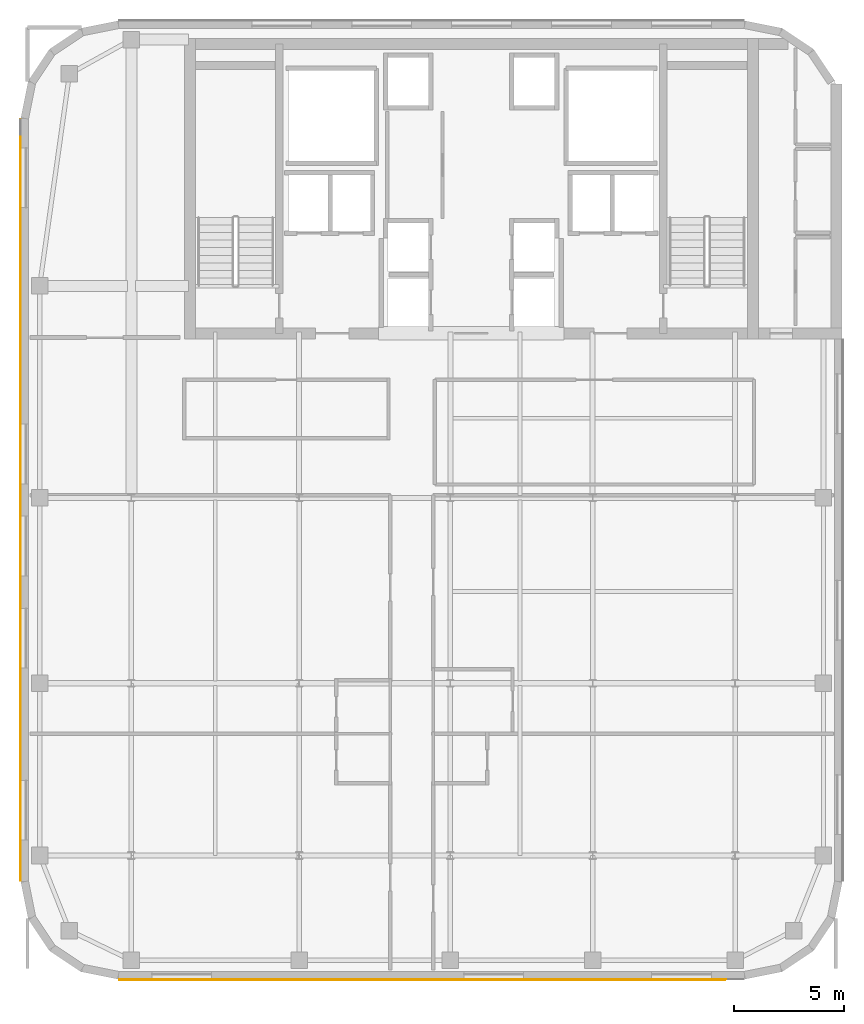
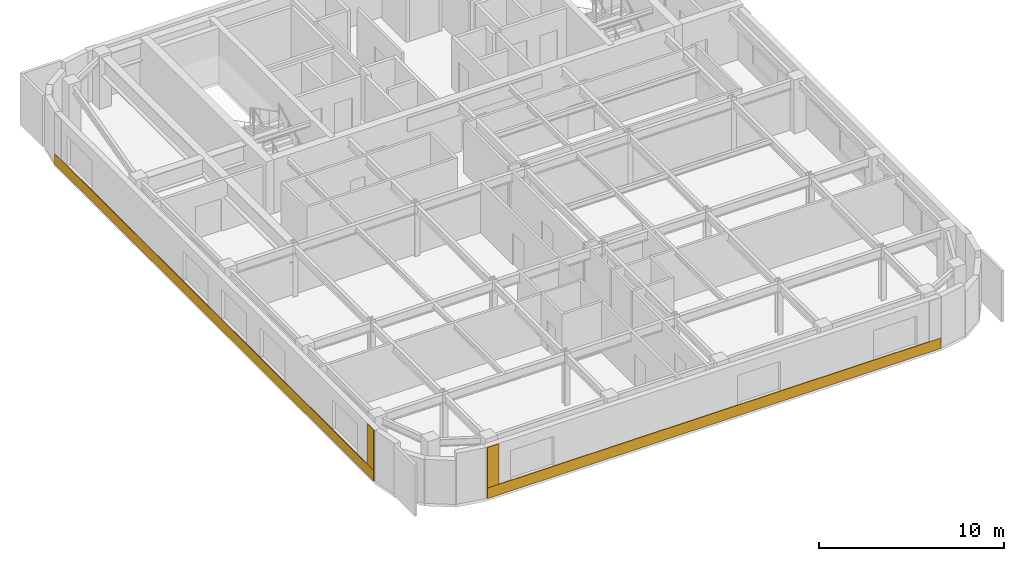
# One storey, part 7 of 10: 4 coverings.
"""IFC4 building model written with IfcOpenShell, lengths in metres."""

import ifcopenshell
import ifcopenshell.guid

model = None  # the IFC model being written
_history = None  # IfcOwnerHistory: only IFC2X3 demands one
_inside = {}  # id of a spatial element -> (the spatial element, [elements in it])
_under = {}  # id of a project, library or spatial element -> (it, [spatial elements below it])
_declared = {}  # id of a project -> (the project, [libraries it declares])
_typed = {}  # id of a type object -> (the type object, [elements of that type])
_made_of = {}  # id of a material, layer set ... -> (it, [elements and type objects made of it])


def new_model(schema):
    """Start an empty IFC model of exactly this schema.

    Asked for "IFC4X3", IfcOpenShell would pick the latest addendum, in which some entities
    have other attributes; the version numbers below select the first issue.
    IFC2X3 requires an IfcOwnerHistory on every rooted entity: one is made here for all.
    """
    global model, _history
    if schema == "IFC4X3":
        model = ifcopenshell.file(schema_version=(4, 3, 0, 0))
    else:
        model = ifcopenshell.file(schema=schema)
    _inside.clear()
    _under.clear()
    _declared.clear()
    _typed.clear()
    _made_of.clear()
    _history = None
    if model.schema == "IFC2X3":
        org = make("IfcOrganization", Name="unknown")
        user = make(
            "IfcPersonAndOrganization",
            ThePerson=make("IfcPerson", FamilyName="unknown"),
            TheOrganization=org,
        )
        app = make(
            "IfcApplication",
            ApplicationDeveloper=org,
            Version="unknown",
            ApplicationFullName="unknown",
            ApplicationIdentifier="unknown",
        )
        _history = make(
            "IfcOwnerHistory",
            OwningUser=user,
            OwningApplication=app,
            ChangeAction="ADDED",
            CreationDate=0,
        )
    return model


def make(cls, **values):
    """One entity of the class cls with the attributes given. An attribute that is None is left unset."""
    return model.create_entity(
        cls, **{name: value for name, value in values.items() if value is not None}
    )


def rooted(cls, **values):
    """An entity with a GlobalId (a new one), such as an element, a storey or a relation."""
    return make(cls, GlobalId=ifcopenshell.guid.new(), OwnerHistory=_history, **values)


def si_unit(unit_type, name, prefix=None):
    """IfcSIUnit, for example si_unit("LENGTHUNIT", "METRE", prefix="MILLI")."""
    return make("IfcSIUnit", UnitType=unit_type, Prefix=prefix, Name=name)


def assignment(units):
    """IfcUnitAssignment: the units of a project."""
    return None if units is None else make("IfcUnitAssignment", Units=units)


def point(xyz):
    """IfcCartesianPoint."""
    return None if xyz is None else make("IfcCartesianPoint", Coordinates=xyz)


def direction(xyz):
    """IfcDirection."""
    return None if xyz is None else make("IfcDirection", DirectionRatios=xyz)


def frame(location, z_axis=None, x_axis=None):
    """IfcAxis2Placement3D, a coordinate frame: its origin and axes. An axis left out is left unset."""
    return make(
        "IfcAxis2Placement3D",
        Location=point(location),
        Axis=direction(z_axis),
        RefDirection=direction(x_axis),
    )


def origin():
    """The frame at (0, 0, 0) with its axes left unset."""
    return frame((0.0, 0.0, 0.0))


def place(relative_to, where):
    """IfcLocalPlacement: puts the frame where relative to a parent placement (None: the world)."""
    return make(
        "IfcLocalPlacement", PlacementRelTo=relative_to, RelativePlacement=where
    )


def context(
    kind, dimensions, precision=None, world=None, true_north=None, identifier=None
):
    """IfcGeometricRepresentationContext, for example the 3D "Model" context."""
    return make(
        "IfcGeometricRepresentationContext",
        ContextIdentifier=identifier,
        ContextType=kind,
        CoordinateSpaceDimension=dimensions,
        Precision=precision,
        WorldCoordinateSystem=world,
        TrueNorth=true_north,
    )


def subcontext(parent, identifier, kind, view, scale=None):
    """IfcGeometricRepresentationSubContext, for example "Body" below "Model"."""
    return make(
        "IfcGeometricRepresentationSubContext",
        ContextIdentifier=identifier,
        ContextType=kind,
        ParentContext=parent,
        TargetScale=scale,
        TargetView=view,
    )


def project(units=None, contexts=None):
    """IfcProject with its units and contexts."""
    return rooted(
        "IfcProject",
        Name="project",
        RepresentationContexts=contexts,
        UnitsInContext=assignment(units),
    )


def spatial(cls, under=None, at=None, **own):
    """A site, building, storey or space (cls), placed at a placement, below another one or the project."""
    s = rooted(cls, ObjectPlacement=at, **own)
    if under is not None:
        _under.setdefault(under.id(), (under, []))[1].append(s)
    return s


def polyline(points):
    """IfcPolyline through the points."""
    return make("IfcPolyline", Points=[point(p) for p in points])


def outline(outer, holes=None, kind="AREA"):
    """IfcArbitraryClosedProfileDef: a profile drawn as a closed curve; with holes, ...WithVoids."""
    if holes is None:
        return make("IfcArbitraryClosedProfileDef", ProfileType=kind, OuterCurve=outer)
    return make(
        "IfcArbitraryProfileDefWithVoids",
        ProfileType=kind,
        OuterCurve=outer,
        InnerCurves=holes,
    )


def extrude(swept, where, along, depth):
    """IfcExtrudedAreaSolid: the profile swept, set in the frame where, extruded along a direction by depth."""
    return make(
        "IfcExtrudedAreaSolid",
        SweptArea=swept,
        Position=where,
        ExtrudedDirection=direction(along),
        Depth=depth,
    )


def shape(context_of_items, identifier, shape_type, items):
    """IfcShapeRepresentation: the items that make up one representation, for example the "Body"."""
    return make(
        "IfcShapeRepresentation",
        ContextOfItems=context_of_items,
        RepresentationIdentifier=identifier,
        RepresentationType=shape_type,
        Items=items,
    )


def material(Name=None, Category=None):
    """IfcMaterial."""
    return make("IfcMaterial", Name=Name, Category=Category)


def layer(
    of_material, thickness, ventilated=None, Name=None, Category=None, Priority=None
):
    """IfcMaterialLayer: one layer of a wall or slab, of a material (None: an air gap)."""
    return make(
        "IfcMaterialLayer",
        Material=of_material,
        LayerThickness=thickness,
        IsVentilated=ventilated,
        Name=Name,
        Category=Category,
        Priority=Priority,
    )


def layer_set(layers, Name=None):
    """IfcMaterialLayerSet."""
    return make("IfcMaterialLayerSet", MaterialLayers=layers, LayerSetName=Name)


def made_of(thing, what):
    """Note that an element or type object is made of a material, layer set ...; save() writes the relation."""
    if what is not None:
        _made_of.setdefault(what.id(), (what, []))[1].append(thing)
    return thing


def type_object(cls, material=None, **own):
    """A type object (cls), such as IfcWallType, which elements share."""
    return made_of(rooted(cls, **own), material)


def element(
    cls,
    number,
    at=None,
    inside=None,
    cuts=None,
    type_object=None,
    material=None,
    context=None,
    identifier="Body",
    shape_type=None,
    held_by="IfcProductDefinitionShape",
    body=None,
    shapes=None,
    **own,
):
    """One element of the class cls, such as IfcWall. Its Tag is "e" and its number.

    at: its placement. inside: the storey or other place that contains it. cuts: it is an
    opening in that element (IfcRelVoidsElement). A single representation is given by context,
    identifier, shape_type and body (its items); several are given by shapes. held_by: the class
    of the entity that holds the representations. save() writes the other relations.
    """
    e = rooted(cls, Tag="e%d" % number, ObjectPlacement=at, **own)
    if body is not None:
        shapes = [shape(context, identifier, shape_type, body)]
    if shapes is not None:
        e.Representation = make(held_by, Representations=shapes)
    if inside is not None:
        _inside.setdefault(inside.id(), (inside, []))[1].append(e)
    if cuts is not None:
        rooted(
            "IfcRelVoidsElement", RelatingBuildingElement=cuts, RelatedOpeningElement=e
        )
    if type_object is not None:
        _typed.setdefault(type_object.id(), (type_object, []))[1].append(e)
    return made_of(e, material)


def aggregate(whole, parts):
    """IfcRelAggregates: a whole, such as a stair, and the parts it consists of."""
    return rooted("IfcRelAggregates", RelatingObject=whole, RelatedObjects=parts)


def save(model, path):
    """Write the relations noted so far, then the file.

    IfcRelAggregates (storeys below a building ...), IfcRelContainedInSpatialStructure (elements
    in a storey), IfcRelDefinesByType, IfcRelAssociatesMaterial and IfcRelDeclares: one each for
    every whole, place, type object, material and project.
    """
    for whole, parts in _under.values():
        aggregate(whole, parts)
    for where, things in _inside.values():
        rooted(
            "IfcRelContainedInSpatialStructure",
            RelatedElements=things,
            RelatingStructure=where,
        )
    for kind, things in _typed.values():
        rooted("IfcRelDefinesByType", RelatedObjects=things, RelatingType=kind)
    for what, things in _made_of.values():
        rooted("IfcRelAssociatesMaterial", RelatedObjects=things, RelatingMaterial=what)
    for by, libraries in _declared.values():
        rooted("IfcRelDeclares", RelatingContext=by, RelatedDefinitions=libraries)
    model.write(path)


model = new_model("IFC4")

# Units and contexts
model_context = context("Model", 3, precision=1e-05, world=origin(), true_north=direction((0.0, 1.0)))
body_context = subcontext(model_context, "Body", "Model", "MODEL_VIEW")
ifc_project = project(units=[si_unit("LENGTHUNIT", "METRE"), si_unit("AREAUNIT", "SQUARE_METRE"), si_unit("VOLUMEUNIT", "CUBIC_METRE"), si_unit("PLANEANGLEUNIT", "RADIAN"), si_unit("MASSUNIT", "GRAM", prefix="KILO")], contexts=[model_context])

# Site, building, storey
site_placement = place(None, origin())
site = spatial("IfcSite", under=ifc_project, at=site_placement, CompositionType="ELEMENT")
building_placement = place(site_placement, origin())
building = spatial("IfcBuilding", under=site, at=building_placement, Name="Tolvann Quenvar Hotel", CompositionType="ELEMENT")
storey_placement = place(building_placement, frame((0.0, 0.0, 220.35009765625)))
storey = spatial("IfcBuildingStorey", under=building, at=storey_placement, Name="L58", CompositionType="ELEMENT", Elevation=220.35009765625)

# Coverings
ifc_material_1 = material(Name="Kiln-fired red architectural face brick cladding", Category="masonry")
ifc_layer_1 = layer(ifc_material_1, 0.0400390625)
ifc_layer_set_1 = layer_set([ifc_layer_1], Name="Kiln-fired red architectural face brick cladding")
covering_type_1 = type_object("IfcCoveringType", Name="COV_CLAD_BRICK_40", PredefinedType="CLADDING", material=ifc_layer_set_1)
covering_1_placement = place(storey_placement, frame((0.0, 0.0, 0.699951171875)))
element("IfcCovering", 1, at=covering_1_placement, inside=storey, type_object=covering_type_1, Name="Brick Pier Cladding (L58-E04-P1)", PredefinedType="CLADDING", context=body_context, shape_type="SweptSolid", body=[
    extrude(outline(polyline([(7.067138671875, 2.60009765625), (7.76708984375, 2.60009765625), (7.76708984375, 2.56005859375), (7.067138671875, 2.56005859375), (7.067138671875, 2.60009765625)])), origin(), (0.0, 0.0, 1.0), 2.669921875),
])
covering_2_placement = place(storey_placement, frame((0.0, 0.0, 0.699951171875)))
element("IfcCovering", 2, at=covering_2_placement, inside=storey, type_object=covering_type_1, Name="Brick Pier Cladding (L58-E19-P2)", PredefinedType="CLADDING", context=body_context, shape_type="SweptSolid", body=[
    extrude(outline(polyline([(2.60009765625, 7.76708984375), (2.60009765625, 7.067138671875), (2.56005859375, 7.067138671875), (2.56005859375, 7.76708984375), (2.60009765625, 7.76708984375)])), origin(), (0.0, 0.0, 1.0), 2.669921875),
])
ifc_material_2 = material(Name="Moulded buff architectural terracotta spandrel cladding", Category="masonry")
ifc_layer_2 = layer(ifc_material_2, 0.0400390625)
ifc_layer_set_2 = layer_set([ifc_layer_2], Name="Moulded buff architectural terracotta spandrel cladding")
covering_type_2 = type_object("IfcCoveringType", Name="COV_CLAD_TERRA_40", PredefinedType="CLADDING", material=ifc_layer_set_2)
covering_3_placement = place(storey_placement, origin())
element("IfcCovering", 3, at=covering_3_placement, inside=storey, type_object=covering_type_2, Name="Terracotta Spandrel Cladding (L58-E04)", PredefinedType="CLADDING", context=body_context, shape_type="SweptSolid", body=[
    extrude(outline(polyline([(7.05712890625, 2.60009765625), (35.3427734375, 2.60009765625), (35.3427734375, 2.56005859375), (7.05712890625, 2.56005859375), (7.05712890625, 2.60009765625)])), origin(), (0.0, 0.0, 1.0), 0.699951171875),
])
covering_4_placement = place(storey_placement, origin())
element("IfcCovering", 4, at=covering_4_placement, inside=storey, type_object=covering_type_2, Name="Terracotta Spandrel Cladding (L58-E19)", PredefinedType="CLADDING", context=body_context, shape_type="SweptSolid", body=[
    extrude(outline(polyline([(2.60009765625, 41.542724609375), (2.60009765625, 7.05712890625), (2.56005859375, 7.05712890625), (2.56005859375, 41.542724609375), (2.60009765625, 41.542724609375)])), origin(), (0.0, 0.0, 1.0), 0.699951171875),
])

save(model, "model.ifc")
